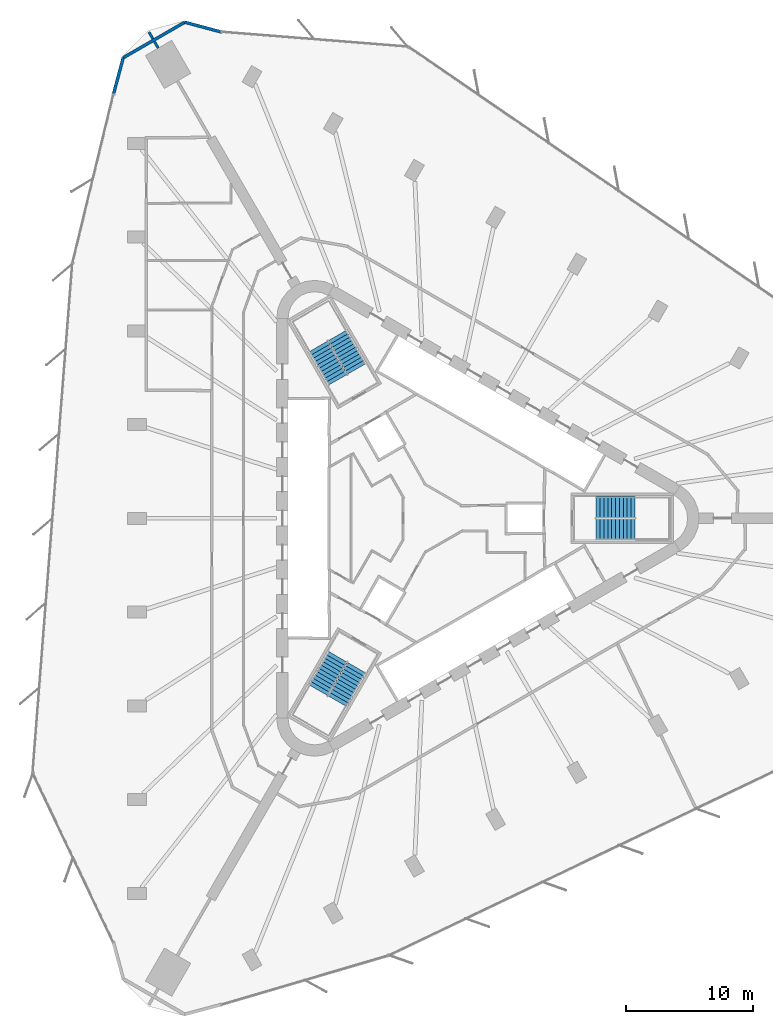
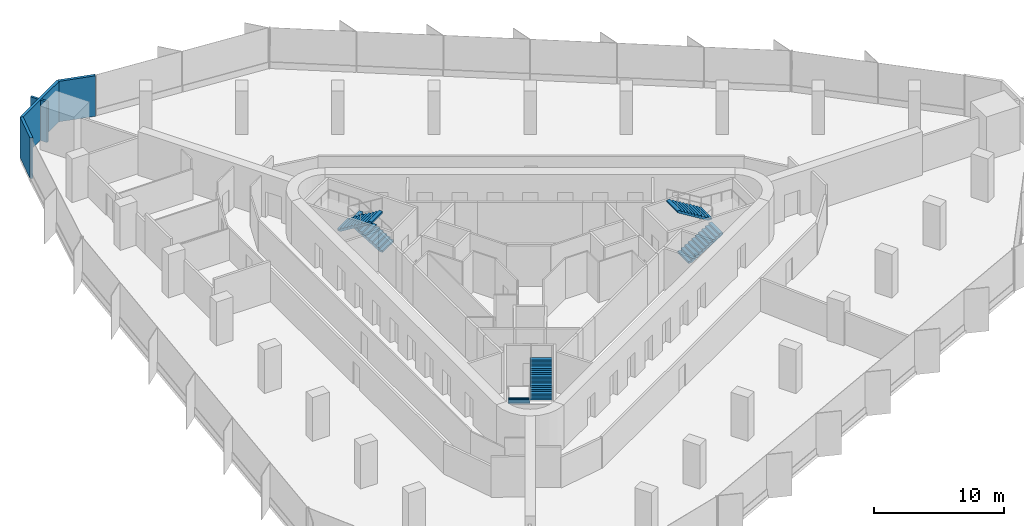
# One storey, part 13 of 14: 6 stair flights, 5 walls, 3 elements without a shape of their own.
"""IFC4 building model written with IfcOpenShell, lengths in metres."""

from ifc_helpers import new_model, si_unit, direction, frame, frame_2d, origin, place, context, subcontext, project, spatial, polyline, rectangle, outline, extrude, material, layer, layer_set, type_object, element, aggregate, save


model = new_model("IFC4")

# Units and contexts
model_context = context("Model", 3, precision=1e-05, world=origin(), true_north=direction((0.0, 1.0)))
body_context = subcontext(model_context, "Body", "Model", "MODEL_VIEW")
ifc_project = project(units=[si_unit("LENGTHUNIT", "METRE"), si_unit("AREAUNIT", "SQUARE_METRE"), si_unit("VOLUMEUNIT", "CUBIC_METRE"), si_unit("PLANEANGLEUNIT", "RADIAN"), si_unit("MASSUNIT", "GRAM", prefix="KILO")], contexts=[model_context])

# Site, building, storey
site_placement = place(None, origin())
site = spatial("IfcSite", under=ifc_project, at=site_placement, CompositionType="ELEMENT")
building_placement = place(site_placement, origin())
building = spatial("IfcBuilding", under=site, at=building_placement, Name="Tanit Gate Tower", CompositionType="ELEMENT")
storey_placement = place(building_placement, frame((0.0, 0.0, 90.60009765625)))
storey = spatial("IfcBuildingStorey", under=building, at=storey_placement, Name="L18", CompositionType="ELEMENT", Elevation=90.60009765625)

# Walls
ifc_material_1 = material(Name="Concrete C30/37 with bronze anodised aluminium cladding", Category="concrete")
ifc_layer_1 = layer(ifc_material_1, 0.239990234375)
ifc_layer_set_1 = layer_set([ifc_layer_1], Name="Facade wall bronze clad 240")
wall_type_1 = type_object("IfcWallType", Name="Facade wall bronze clad 240", PredefinedType="SOLIDWALL", material=ifc_layer_set_1)
wall_1_placement = place(storey_placement, frame((-16.494384765625, 38.3486328125, 0.0), z_axis=(0.0, 0.0, 1.0), x_axis=(-0.965922171105, 0.258832686049, 0.0)))
element("IfcWall", 1, at=wall_1_placement, inside=storey, type_object=wall_type_1, Name="Bronze-clad facade wall L18 NW.arc1", PredefinedType="SOLIDWALL", context=body_context, shape_type="SweptSolid", body=[
    extrude(rectangle(XDim=2.947509765625, YDim=0.239990234375, at=frame_2d((1.4736328125, 0.0))), origin(), (0.0, 0.0, 1.0), 3.7998046875),
])
wall_2_placement = place(storey_placement, frame((-19.341552734375, 39.111572265625, 0.0), z_axis=(0.0, 0.0, 1.0), x_axis=(-0.866036326607, -0.499981080639, 0.0)))
element("IfcWall", 2, at=wall_2_placement, inside=storey, type_object=wall_type_1, Name="Bronze-clad facade wall L18 NW.arc2", PredefinedType="SOLIDWALL", context=body_context, shape_type="SweptSolid", body=[
    extrude(rectangle(XDim=5.611083984375, YDim=0.239990234375, at=frame_2d((2.8056640625, 0.0))), origin(), (0.0, 0.0, 1.0), 3.7998046875),
])
wall_3_placement = place(storey_placement, frame((-24.200927734375, 36.30615234375, 0.0), z_axis=(0.0, 0.0, 1.0), x_axis=(-0.258765188568, -0.965940255495, 0.0)))
element("IfcWall", 3, at=wall_3_placement, inside=storey, type_object=wall_type_1, Name="Bronze-clad facade wall L18 NW.arc3", PredefinedType="SOLIDWALL", context=body_context, shape_type="SweptSolid", body=[
    extrude(rectangle(XDim=2.93505859375, YDim=0.239990234375, at=frame_2d((1.467529296875, 0.0))), origin(), (0.0, 0.0, 1.0), 3.7998046875),
])
ifc_material_2 = material(Name="Fire-rated gypsum board partition")
ifc_layer_2 = layer(ifc_material_2, 0.199951171875)
ifc_layer_set_2 = layer_set([ifc_layer_2], Name="INT-WALL-COMPARTMENT")
wall_type_2 = type_object("IfcWallType", Name="INT-WALL-COMPARTMENT", PredefinedType="PARTITIONING", material=ifc_layer_set_2)
wall_4_placement = place(storey_placement, frame((-22.1689453125, 38.337890625, 0.0), z_axis=(0.0, 0.0, 1.0), x_axis=(0.499970989427, -0.866042152399, 0.0)))
element("IfcWall", 4, at=wall_4_placement, inside=storey, type_object=wall_type_2, Name="Wall Compartment W107", PredefinedType="PARTITIONING", context=body_context, shape_type="SweptSolid", body=[
    extrude(rectangle(XDim=0.62353515625, YDim=0.199951171875, at=frame_2d((0.311767578125, 0.0))), origin(), (0.0, 0.0, 1.0), 3.7998046875),
])
wall_5_placement = place(storey_placement, frame((-21.737060546875, 37.58984375, 0.0), z_axis=(0.0, 0.0, 1.0), x_axis=(0.499920697567, -0.866071184225, 0.0)))
element("IfcWall", 5, at=wall_5_placement, inside=storey, type_object=wall_type_2, Name="Wall Compartment W107x1", PredefinedType="PARTITIONING", context=body_context, shape_type="SweptSolid", body=[
    extrude(rectangle(XDim=0.60400390625, YDim=0.199951171875, at=frame_2d((0.302001953125, 0.0))), origin(), (0.0, 0.0, 1.0), 3.7998046875),
])

# Stair, stair flights
ifc_material_3 = material(Name="Concrete C40/50", Category="concrete")
stair_type = type_object("IfcStairType", Name="INT-STAIR-EXIT", PredefinedType="HALF_TURN_STAIR", material=ifc_material_3)
stair_1_placement = place(storey_placement, origin())
stair_1 = element("IfcStair", 6, at=stair_1_placement, inside=storey, type_object=stair_type, Name="L18 STAIR S1", PredefinedType="HALF_TURN_STAIR")
ifc_material_4 = material(Name="Concrete C40/50", Category="concrete")
stair_flight_type = type_object("IfcStairFlightType", Name="INT-STAIR-FLIGHT", PredefinedType="STRAIGHT", material=ifc_material_4)
stair_flight_1_placement = place(storey_placement, frame((13.094970703125, -0.8525390625, 0.0), z_axis=(0.0, 0.0, 1.0), x_axis=(1.0, 0.0, 0.0)))
stair_flight_1 = element("IfcStairFlight", 7, at=stair_flight_1_placement, type_object=stair_flight_type, Name="S1 flight 1", NumberOfRisers=11, NumberOfTreads=10, PredefinedType="STRAIGHT", RiserHeight=0.186363636, TreadLength=0.3051, context=body_context, shape_type="SweptSolid", body=[
    extrude(outline(polyline([(0.0, 0.0), (0.0, 0.186279296875), (0.30517578125, 0.186279296875), (0.30517578125, 0.372802734375), (0.610107421875, 0.372802734375), (0.610107421875, 0.55908203125), (0.915283203125, 0.55908203125), (0.915283203125, 0.745361328125), (1.220458984375, 0.745361328125), (1.220458984375, 0.931884765625), (1.525390625, 0.931884765625), (1.525390625, 1.1181640625), (1.83056640625, 1.1181640625), (1.83056640625, 1.304443359375), (2.1357421875, 1.304443359375), (2.1357421875, 1.490966796875), (2.44091796875, 1.490966796875), (2.44091796875, 1.67724609375), (2.745849609375, 1.67724609375), (2.745849609375, 1.863525390625), (3.051025390625, 1.863525390625), (3.051025390625, 2.050048828125), (3.051025390625, 1.68798828125), (0.28759765625, 0.0), (0.0, 0.0)])), frame((0.0, 0.84765625, 0.0), z_axis=(0.0, -1.0, 0.0), x_axis=(1.0, 0.0, 0.0)), (0.0, 0.0, 1.0), 1.695068359375),
])
stair_flight_2_placement = place(storey_placement, frame((16.14599609375, 0.8525390625, 2.0498046875), z_axis=(0.0, 0.0, 1.0), x_axis=(-1.0, 0.0, 0.0)))
stair_flight_2 = element("IfcStairFlight", 8, at=stair_flight_2_placement, type_object=stair_flight_type, Name="S1 flight 2", NumberOfRisers=11, NumberOfTreads=10, PredefinedType="STRAIGHT", RiserHeight=0.186363636, TreadLength=0.3051, context=body_context, shape_type="SweptSolid", body=[
    extrude(outline(polyline([(0.0, 0.0), (0.0, 0.186279296875), (0.30517578125, 0.186279296875), (0.30517578125, 0.372802734375), (0.610107421875, 0.372802734375), (0.610107421875, 0.55908203125), (0.915283203125, 0.55908203125), (0.915283203125, 0.745361328125), (1.220458984375, 0.745361328125), (1.220458984375, 0.931884765625), (1.525390625, 0.931884765625), (1.525390625, 1.1181640625), (1.83056640625, 1.1181640625), (1.83056640625, 1.304443359375), (2.1357421875, 1.304443359375), (2.1357421875, 1.490966796875), (2.44091796875, 1.490966796875), (2.44091796875, 1.67724609375), (2.745849609375, 1.67724609375), (2.745849609375, 1.863525390625), (3.051025390625, 1.863525390625), (3.051025390625, 2.050048828125), (3.051025390625, 1.68798828125), (0.28759765625, 0.0), (0.0, 0.0)])), frame((0.0, 0.84765625, 0.0), z_axis=(0.0, -1.0, 0.0), x_axis=(1.0, 0.0, 0.0)), (0.0, 0.0, 1.0), 1.695068359375),
])
aggregate(stair_1, [stair_flight_1, stair_flight_2])

stair_2_placement = place(storey_placement, origin())
stair_2 = element("IfcStair", 9, at=stair_2_placement, inside=storey, type_object=stair_type, Name="L18 STAIR S2", PredefinedType="HALF_TURN_STAIR")
stair_flight_3_placement = place(storey_placement, frame((-5.808349609375, 11.766357421875, 0.0), z_axis=(0.0, 0.0, 1.0), x_axis=(-0.5, 0.866025403784, 0.0)))
stair_flight_3 = element("IfcStairFlight", 10, at=stair_flight_3_placement, type_object=stair_flight_type, Name="S2 flight 1", NumberOfRisers=11, NumberOfTreads=10, PredefinedType="STRAIGHT", RiserHeight=0.186363636, TreadLength=0.30492, context=body_context, shape_type="SweptSolid", body=[
    extrude(outline(polyline([(0.0, 0.0), (0.0, 0.186279296875), (0.304931640625, 0.186279296875), (0.304931640625, 0.372802734375), (0.60986328125, 0.372802734375), (0.60986328125, 0.55908203125), (0.914794921875, 0.55908203125), (0.914794921875, 0.745361328125), (1.2197265625, 0.745361328125), (1.2197265625, 0.931884765625), (1.524658203125, 0.931884765625), (1.524658203125, 1.1181640625), (1.82958984375, 1.1181640625), (1.82958984375, 1.304443359375), (2.134521484375, 1.304443359375), (2.134521484375, 1.490966796875), (2.439453125, 1.490966796875), (2.439453125, 1.67724609375), (2.744384765625, 1.67724609375), (2.744384765625, 1.863525390625), (3.04931640625, 1.863525390625), (3.04931640625, 2.050048828125), (3.04931640625, 1.68798828125), (0.287353515625, 0.0), (0.0, 0.0)])), frame((0.0, 0.84716796875, 0.0), z_axis=(0.0, -1.0, 0.0), x_axis=(1.0, 0.0, 0.0)), (0.0, 0.0, 1.0), 1.694091796875),
])
stair_flight_4_placement = place(storey_placement, frame((-8.810302734375, 13.553955078125, 2.0498046875), z_axis=(0.0, 0.0, 1.0), x_axis=(0.5, -0.866025403784, 0.0)))
stair_flight_4 = element("IfcStairFlight", 11, at=stair_flight_4_placement, type_object=stair_flight_type, Name="S2 flight 2", NumberOfRisers=11, NumberOfTreads=10, PredefinedType="STRAIGHT", RiserHeight=0.186363636, TreadLength=0.30492, context=body_context, shape_type="SweptSolid", body=[
    extrude(outline(polyline([(0.0, 0.0), (0.0, 0.186279296875), (0.304931640625, 0.186279296875), (0.304931640625, 0.372802734375), (0.60986328125, 0.372802734375), (0.60986328125, 0.55908203125), (0.914794921875, 0.55908203125), (0.914794921875, 0.745361328125), (1.2197265625, 0.745361328125), (1.2197265625, 0.931884765625), (1.524658203125, 0.931884765625), (1.524658203125, 1.1181640625), (1.82958984375, 1.1181640625), (1.82958984375, 1.304443359375), (2.134521484375, 1.304443359375), (2.134521484375, 1.490966796875), (2.439453125, 1.490966796875), (2.439453125, 1.67724609375), (2.744384765625, 1.67724609375), (2.744384765625, 1.863525390625), (3.04931640625, 1.863525390625), (3.04931640625, 2.050048828125), (3.04931640625, 1.68798828125), (0.287353515625, 0.0), (0.0, 0.0)])), frame((0.0, 0.84716796875, 0.0), z_axis=(0.0, -1.0, 0.0), x_axis=(1.0, 0.0, 0.0)), (0.0, 0.0, 1.0), 1.694091796875),
])
aggregate(stair_2, [stair_flight_3, stair_flight_4])

stair_3_placement = place(storey_placement, origin())
stair_3 = element("IfcStair", 12, at=stair_3_placement, inside=storey, type_object=stair_type, Name="L18 STAIR S3", PredefinedType="HALF_TURN_STAIR")
stair_flight_5_placement = place(storey_placement, frame((-7.285888671875, -10.914306640625, 0.0), z_axis=(0.0, 0.0, 1.0), x_axis=(-0.5, -0.866025403784, 0.0)))
stair_flight_5 = element("IfcStairFlight", 13, at=stair_flight_5_placement, type_object=stair_flight_type, Name="S3 flight 1", NumberOfRisers=11, NumberOfTreads=10, PredefinedType="STRAIGHT", RiserHeight=0.186363636, TreadLength=0.3051, context=body_context, shape_type="SweptSolid", body=[
    extrude(outline(polyline([(0.0, 0.0), (0.0, 0.186279296875), (0.30517578125, 0.186279296875), (0.30517578125, 0.372802734375), (0.610107421875, 0.372802734375), (0.610107421875, 0.55908203125), (0.915283203125, 0.55908203125), (0.915283203125, 0.745361328125), (1.220458984375, 0.745361328125), (1.220458984375, 0.931884765625), (1.525390625, 0.931884765625), (1.525390625, 1.1181640625), (1.83056640625, 1.1181640625), (1.83056640625, 1.304443359375), (2.1357421875, 1.304443359375), (2.1357421875, 1.490966796875), (2.44091796875, 1.490966796875), (2.44091796875, 1.67724609375), (2.745849609375, 1.67724609375), (2.745849609375, 1.863525390625), (3.051025390625, 1.863525390625), (3.051025390625, 2.050048828125), (3.051025390625, 1.68798828125), (0.28759765625, 0.0), (0.0, 0.0)])), frame((0.0, 0.84765625, 0.0), z_axis=(0.0, -1.0, 0.0), x_axis=(1.0, 0.0, 0.0)), (0.0, 0.0, 1.0), 1.695068359375),
])
stair_flight_6_placement = place(storey_placement, frame((-7.334716796875, -14.4091796875, 2.0498046875), z_axis=(0.0, 0.0, 1.0), x_axis=(0.5, 0.866025403784, 0.0)))
stair_flight_6 = element("IfcStairFlight", 14, at=stair_flight_6_placement, type_object=stair_flight_type, Name="S3 flight 2", NumberOfRisers=11, NumberOfTreads=10, PredefinedType="STRAIGHT", RiserHeight=0.186363636, TreadLength=0.3051, context=body_context, shape_type="SweptSolid", body=[
    extrude(outline(polyline([(0.0, 0.0), (0.0, 0.186279296875), (0.30517578125, 0.186279296875), (0.30517578125, 0.372802734375), (0.610107421875, 0.372802734375), (0.610107421875, 0.55908203125), (0.915283203125, 0.55908203125), (0.915283203125, 0.745361328125), (1.220458984375, 0.745361328125), (1.220458984375, 0.931884765625), (1.525390625, 0.931884765625), (1.525390625, 1.1181640625), (1.83056640625, 1.1181640625), (1.83056640625, 1.304443359375), (2.1357421875, 1.304443359375), (2.1357421875, 1.490966796875), (2.44091796875, 1.490966796875), (2.44091796875, 1.67724609375), (2.745849609375, 1.67724609375), (2.745849609375, 1.863525390625), (3.051025390625, 1.863525390625), (3.051025390625, 2.050048828125), (3.051025390625, 1.68798828125), (0.28759765625, 0.0), (0.0, 0.0)])), frame((0.0, 0.84765625, 0.0), z_axis=(0.0, -1.0, 0.0), x_axis=(1.0, 0.0, 0.0)), (0.0, 0.0, 1.0), 1.695068359375),
])
aggregate(stair_3, [stair_flight_5, stair_flight_6])

save(model, "model.ifc")
